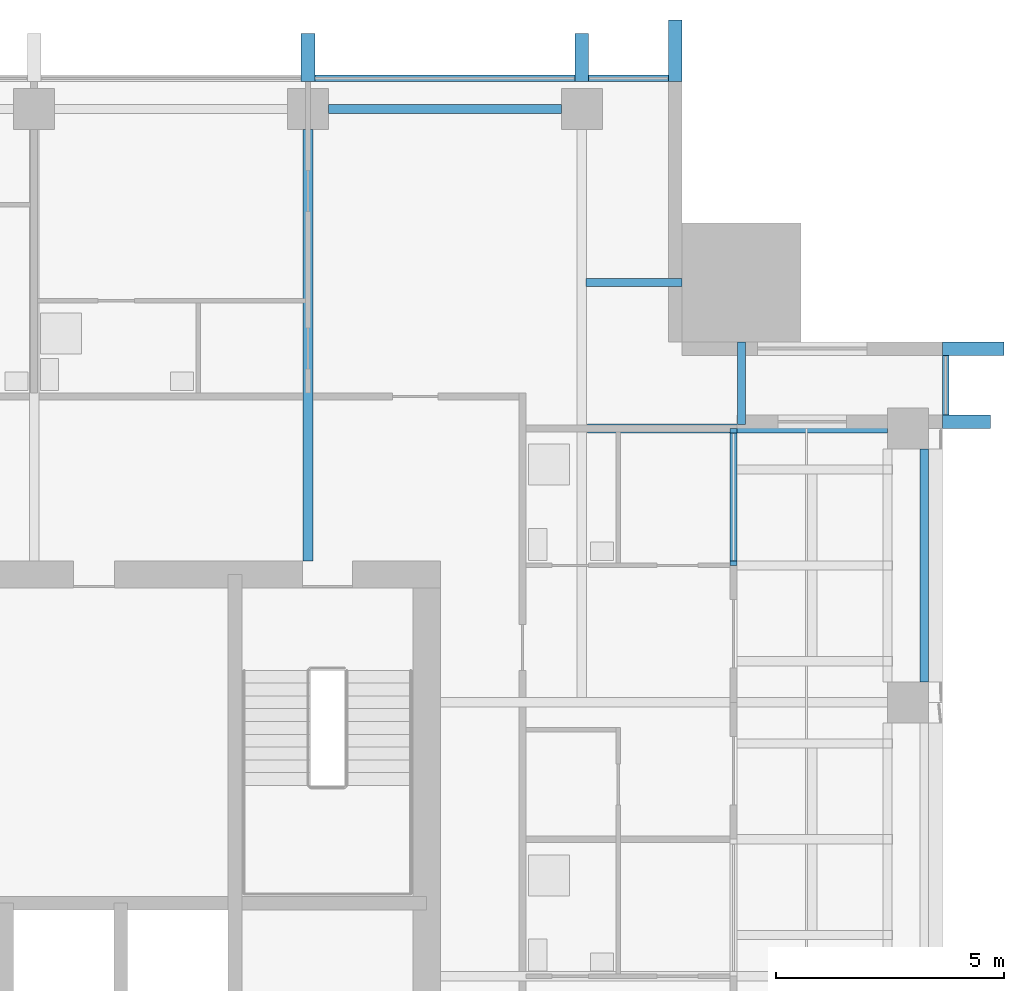
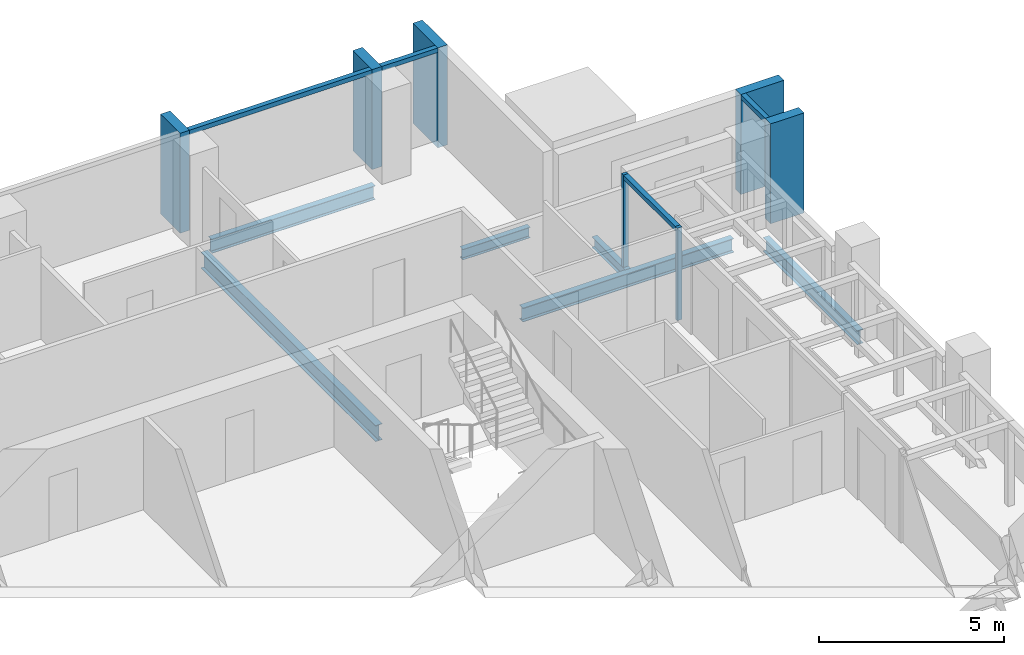
# One storey, part 6 of 17: 11 members, 6 beams, 3 elements without a shape of their own.
"""IFC4 building model written with IfcOpenShell, lengths in metres."""

from ifc_helpers import new_model, si_unit, direction, frame, origin, origin_2d, place, context, subcontext, project, spatial, rectangle, i_section, extrude, material, material_profile, profile_set, type_object, element, aggregate, save


model = new_model("IFC4")

# Units and contexts
model_context = context("Model", 3, precision=1e-05, world=origin(), true_north=direction((0.0, 1.0)))
body_context = subcontext(model_context, "Body", "Model", "MODEL_VIEW")
ifc_project = project(units=[si_unit("LENGTHUNIT", "METRE"), si_unit("AREAUNIT", "SQUARE_METRE"), si_unit("VOLUMEUNIT", "CUBIC_METRE"), si_unit("PLANEANGLEUNIT", "RADIAN"), si_unit("MASSUNIT", "GRAM", prefix="KILO")], contexts=[model_context])

# Site, building, storey
site_placement = place(None, origin())
site = spatial("IfcSite", under=ifc_project, at=site_placement, CompositionType="ELEMENT")
building_placement = place(site_placement, origin())
building = spatial("IfcBuilding", under=site, at=building_placement, Name="Amberfall Residences", CompositionType="ELEMENT")
storey_placement = place(building_placement, frame((0.0, 0.0, 216.699951171875)))
storey = spatial("IfcBuildingStorey", under=building, at=storey_placement, Name="L58", CompositionType="ELEMENT", Elevation=216.699951171875)

# Curtain wall, member
ifc_material_1 = material(Name="Bronze anodised aluminium and glass", Category="aluminium")
curtain_wall_type_1 = type_object("IfcCurtainWallType", Name="Curtain wall CW1 tower unit", PredefinedType="USERDEFINED", material=ifc_material_1)
curtain_wall_1_placement = place(storey_placement, origin())
curtain_wall_1 = element("IfcCurtainWall", 1, at=curtain_wall_1_placement, inside=storey, type_object=curtain_wall_type_1, Name="Curtain wall L58 E E9", ObjectType="UNITISED CURTAIN WALL", PredefinedType="USERDEFINED")
ifc_material_2 = material(Name="Bronze anodised aluminium", Category="aluminium")
ifc_material_profile_1 = material_profile(ifc_material_2, rectangle(XDim=0.14990234375, YDim=0.14990234375, at=origin_2d()), Name="CW1 transom 150 x 150 bronze")
ifc_profile_set_1 = profile_set([ifc_material_profile_1], Name="Bronze anodised aluminium")
member_type_1 = type_object("IfcMemberType", Name="CW1 transom 150 x 150 bronze", PredefinedType="USERDEFINED", material=ifc_profile_set_1)
member_1_placement = place(storey_placement, frame((97.574951171875, 60.699951171875, 2.97509765625), z_axis=(0.0, 1.0, 0.0), x_axis=(-1.0, 0.0, 0.0)))
member_1 = element("IfcMember", 2, at=member_1_placement, type_object=member_type_1, Name="CW1 transom 1.1", ObjectType="TRANSOM", PredefinedType="USERDEFINED", context=body_context, shape_type="SweptSolid", body=[
    extrude(rectangle(XDim=0.14990234375, YDim=0.14990234375, at=origin_2d()), origin(), (0.0, 0.0, 1.0), 1.300048828125),
])

# Curtain wall, members
curtain_wall_2_placement = place(storey_placement, origin())
curtain_wall_2 = element("IfcCurtainWall", 3, at=curtain_wall_2_placement, inside=storey, type_object=curtain_wall_type_1, Name="Curtain wall L58 N N1", ObjectType="UNITISED CURTAIN WALL", PredefinedType="USERDEFINED")
member_2_placement = place(storey_placement, frame((91.5, 68.074951171875, 2.97509765625), z_axis=(-1.0, 0.0, 0.0), x_axis=(0.0, -1.0, 0.0)))
member_2 = element("IfcMember", 4, at=member_2_placement, type_object=member_type_1, Name="CW1 transom 1.1", ObjectType="TRANSOM", PredefinedType="USERDEFINED", context=body_context, shape_type="SweptSolid", body=[
    extrude(rectangle(XDim=0.14990234375, YDim=0.14990234375, at=origin_2d()), origin(), (0.0, 0.0, 1.0), 1.75),
])
member_3_placement = place(storey_placement, frame((89.449951171875, 68.074951171875, 2.97509765625), z_axis=(-1.0, 0.0, 0.0), x_axis=(0.0, -1.0, 0.0)))
member_3 = element("IfcMember", 5, at=member_3_placement, type_object=member_type_1, Name="CW1 transom 2.1", ObjectType="TRANSOM", PredefinedType="USERDEFINED", context=body_context, shape_type="SweptSolid", body=[
    extrude(rectangle(XDim=0.14990234375, YDim=0.14990234375, at=origin_2d()), origin(), (0.0, 0.0, 1.0), 5.699951171875),
])

curtain_wall_type_2 = type_object("IfcCurtainWallType", Name="Curtain wall CW3 sky garden glazing", PredefinedType="USERDEFINED", material=ifc_material_1)
curtain_wall_3_placement = place(storey_placement, origin())
curtain_wall_3 = element("IfcCurtainWall", 6, at=curtain_wall_3_placement, inside=storey, type_object=curtain_wall_type_2, Name="Curtain wall L58 E E7", ObjectType="UNITISED CURTAIN WALL", PredefinedType="USERDEFINED")
ifc_material_profile_2 = material_profile(ifc_material_2, rectangle(XDim=0.14990234375, YDim=0.10009765625, at=origin_2d()), Name="CW3 mullion 100 x 150 bronze")
ifc_profile_set_2 = profile_set([ifc_material_profile_2], Name="Bronze anodised aluminium")
member_type_2 = type_object("IfcMemberType", Name="CW3 mullion 100 x 150 bronze", PredefinedType="MULLION", material=ifc_profile_set_2)
member_4_placement = place(storey_placement, frame((92.925048828125, 57.449951171875, 0.0), z_axis=(0.0, 0.0, 1.0), x_axis=(-1.0, 0.0, 0.0)))
member_4 = element("IfcMember", 7, at=member_4_placement, type_object=member_type_2, Name="CW3 mullion 1", PredefinedType="MULLION", context=body_context, shape_type="SweptSolid", body=[
    extrude(rectangle(XDim=0.14990234375, YDim=0.10009765625, at=origin_2d()), origin(), (0.0, 0.0, 1.0), 3.050048828125),
])
member_5_placement = place(storey_placement, frame((92.925048828125, 60.35009765625, 0.0), z_axis=(0.0, 0.0, 1.0), x_axis=(-1.0, 0.0, 0.0)))
member_5 = element("IfcMember", 8, at=member_5_placement, type_object=member_type_2, Name="CW3 mullion 2", PredefinedType="MULLION", context=body_context, shape_type="SweptSolid", body=[
    extrude(rectangle(XDim=0.14990234375, YDim=0.10009765625, at=origin_2d()), origin(), (0.0, 0.0, 1.0), 3.050048828125),
])
ifc_material_profile_3 = material_profile(ifc_material_2, rectangle(XDim=0.14990234375, YDim=0.14990234375, at=origin_2d()), Name="CW3 transom 150 x 150 bronze")
ifc_profile_set_3 = profile_set([ifc_material_profile_3], Name="Bronze anodised aluminium")
member_type_3 = type_object("IfcMemberType", Name="CW3 transom 150 x 150 bronze", PredefinedType="USERDEFINED", material=ifc_profile_set_3)
member_6_placement = place(storey_placement, frame((92.925048828125, 57.5, 2.97509765625), z_axis=(0.0, 1.0, 0.0), x_axis=(-1.0, 0.0, 0.0)))
member_6 = element("IfcMember", 9, at=member_6_placement, type_object=member_type_3, Name="CW3 transom 1.1", ObjectType="TRANSOM", PredefinedType="USERDEFINED", context=body_context, shape_type="SweptSolid", body=[
    extrude(rectangle(XDim=0.14990234375, YDim=0.14990234375, at=origin_2d()), origin(), (0.0, 0.0, 1.0), 2.800048828125),
])
aggregate(curtain_wall_3, [member_4, member_5, member_6])

# Member
ifc_material_profile_4 = material_profile(ifc_material_2, rectangle(XDim=1.35009765625, YDim=0.300048828125, at=origin_2d()), Name="Corner fin 300 x 1350 bronze")
ifc_profile_set_4 = profile_set([ifc_material_profile_4], Name="Bronze anodised aluminium")
member_type_4 = type_object("IfcMemberType", Name="Corner fin 300 x 1350 bronze", PredefinedType="MULLION", material=ifc_profile_set_4)
member_7_placement = place(storey_placement, frame((98.175048828125, 62.14990234375, -0.25), z_axis=(0.0, 0.0, 1.0), x_axis=(-1.0, 0.0, 0.0)))
member_7 = element("IfcMember", 10, at=member_7_placement, type_object=member_type_4, Name="CW FIN 2", PredefinedType="MULLION", context=body_context, shape_type="SweptSolid", body=[
    extrude(rectangle(XDim=1.35009765625, YDim=0.300048828125, at=origin_2d()), origin(), (0.0, 0.0, 1.0), 3.300048828125),
])

member_8_placement = place(storey_placement, frame((91.64990234375, 68.675048828125, -0.25), z_axis=(0.0, 0.0, 1.0), x_axis=(0.0, -1.0, 0.0)))
member_8 = element("IfcMember", 11, at=member_8_placement, type_object=member_type_4, Name="CW FIN 1", PredefinedType="MULLION", context=body_context, shape_type="SweptSolid", body=[
    extrude(rectangle(XDim=1.35009765625, YDim=0.300048828125, at=origin_2d()), origin(), (0.0, 0.0, 1.0), 3.300048828125),
])

# Beams
ifc_material_3 = material(Name="Steel S355", Category="steel")
ifc_material_profile_5 = material_profile(ifc_material_3, i_section(OverallWidth=0.18994140625, OverallDepth=0.453369140625, WebThickness=0.008544921875, FlangeThickness=0.0126953125, FilletRadius=0.01025390625, at=origin_2d()), Name="UB 457x191x67")
ifc_profile_set_5 = profile_set([ifc_material_profile_5], Name="Steel S355")
beam_type_1 = type_object("IfcBeamType", Name="Edge beam UB 457x191x67", PredefinedType="SPANDREL", material=ifc_profile_set_5)
for number, where, z_axis, x_axis, name in (
    (12, (97.10009765625, 54.85009765625, -0.4765625), (0.0, 1.0, 0.0), (-1.0, 0.0, 0.0), "Edge beam B1 L58 17"),
    (13, (84.050048828125, 67.39990234375, -0.4765625), (1.0, 0.0, 0.0), (0.0, 1.0, 0.0), "Edge beam B1 L58 29"),
):
    element("IfcBeam", number, at=place(storey_placement, frame(where, z_axis=z_axis, x_axis=x_axis)), inside=storey, type_object=beam_type_1, Name=name, PredefinedType="SPANDREL", context=body_context, shape_type="SweptSolid", body=[
        extrude(i_section(OverallWidth=0.18994140625, OverallDepth=0.453369140625, WebThickness=0.008544921875, FlangeThickness=0.0126953125, FilletRadius=0.01025390625, at=origin_2d()), origin(), (0.0, 0.0, 1.0), 5.099853515625),
    ])

# Member
ifc_material_profile_6 = material_profile(ifc_material_2, rectangle(XDim=1.050048828125, YDim=0.300048828125, at=origin_2d()), Name="Fin 300 x 1050 bronze")
ifc_profile_set_6 = profile_set([ifc_material_profile_6], Name="Bronze anodised aluminium")
member_type_5 = type_object("IfcMemberType", Name="Fin 300 x 1050 bronze", PredefinedType="MULLION", material=ifc_profile_set_6)
member_9_placement = place(storey_placement, frame((98.02490234375, 60.550048828125, -0.25), z_axis=(0.0, 0.0, 1.0), x_axis=(-1.0, 0.0, 0.0)))
member_9 = element("IfcMember", 14, at=member_9_placement, type_object=member_type_5, Name="CW FIN 1", PredefinedType="MULLION", context=body_context, shape_type="SweptSolid", body=[
    extrude(rectangle(XDim=1.050048828125, YDim=0.300048828125, at=origin_2d()), origin(), (0.0, 0.0, 1.0), 3.300048828125),
])

aggregate(curtain_wall_1, [member_9, member_7, member_1])

member_10_placement = place(storey_placement, frame((89.60009765625, 68.52490234375, -0.25), z_axis=(0.0, 0.0, 1.0), x_axis=(0.0, -1.0, 0.0)))
member_10 = element("IfcMember", 15, at=member_10_placement, type_object=member_type_5, Name="CW FIN 2", PredefinedType="MULLION", context=body_context, shape_type="SweptSolid", body=[
    extrude(rectangle(XDim=1.050048828125, YDim=0.300048828125, at=origin_2d()), origin(), (0.0, 0.0, 1.0), 3.300048828125),
])

member_11_placement = place(storey_placement, frame((83.60009765625, 68.52490234375, -0.25), z_axis=(0.0, 0.0, 1.0), x_axis=(0.0, -1.0, 0.0)))
member_11 = element("IfcMember", 16, at=member_11_placement, type_object=member_type_5, Name="CW FIN 3", PredefinedType="MULLION", context=body_context, shape_type="SweptSolid", body=[
    extrude(rectangle(XDim=1.050048828125, YDim=0.300048828125, at=origin_2d()), origin(), (0.0, 0.0, 1.0), 3.300048828125),
])

aggregate(curtain_wall_2, [member_8, member_10, member_11, member_2, member_3])

# Beams
ifc_material_profile_7 = material_profile(ifc_material_3, i_section(OverallWidth=0.19140625, OverallDepth=0.4599609375, WebThickness=0.010009765625, FlangeThickness=0.01611328125, FilletRadius=0.01025390625, at=origin_2d()), Name="UB 457x191x82")
ifc_profile_set_7 = profile_set([ifc_material_profile_7], Name="Steel S355")
beam_type_2 = type_object("IfcBeamType", Name="Floor girder UB 457x191x82", PredefinedType="BEAM", material=ifc_profile_set_7)
beam_1_placement = place(storey_placement, frame((96.300048828125, 60.39990234375, -0.47998046875), z_axis=(-1.0, 0.0, 0.0), x_axis=(0.0, -1.0, 0.0)))
element("IfcBeam", 17, at=beam_1_placement, inside=storey, type_object=beam_type_2, Name="Floor girder B10 L58 24", PredefinedType="BEAM", context=body_context, shape_type="SweptSolid", body=[
    extrude(i_section(OverallWidth=0.19140625, OverallDepth=0.4599609375, WebThickness=0.010009765625, FlangeThickness=0.01611328125, FilletRadius=0.01025390625, at=origin_2d()), origin(), (0.0, 0.0, 1.0), 6.580078125),
])
ifc_material_profile_8 = material_profile(ifc_material_3, i_section(OverallWidth=0.209228515625, OverallDepth=0.533203125, WebThickness=0.010009765625, FlangeThickness=0.015625, FilletRadius=0.0126953125, at=origin_2d()), Name="UB 533x210x92")
ifc_profile_set_8 = profile_set([ifc_material_profile_8], Name="Steel S355")
beam_type_3 = type_object("IfcBeamType", Name="Floor girder UB 533x210x92", PredefinedType="BEAM", material=ifc_profile_set_8)
beam_2_placement = place(storey_placement, frame((83.60009765625, 66.949951171875, -0.5166015625), z_axis=(0.0, -1.0, 0.0), x_axis=(1.0, 0.0, 0.0)))
element("IfcBeam", 18, at=beam_2_placement, inside=storey, type_object=beam_type_3, Name="Floor girder B3 L58 34", PredefinedType="BEAM", context=body_context, shape_type="SweptSolid", body=[
    extrude(i_section(OverallWidth=0.209228515625, OverallDepth=0.533203125, WebThickness=0.010009765625, FlangeThickness=0.015625, FilletRadius=0.0126953125, at=origin_2d()), origin(), (0.0, 0.0, 1.0), 9.449951171875),
])
ifc_material_profile_9 = material_profile(ifc_material_3, i_section(OverallWidth=0.171142578125, OverallDepth=0.351318359375, WebThickness=0.007080078125, FlangeThickness=0.009765625, FilletRadius=0.01025390625, at=origin_2d()), Name="UB 356x171x45")
ifc_profile_set_9 = profile_set([ifc_material_profile_9], Name="Steel S355")
beam_type_4 = type_object("IfcBeamType", Name="Link beam UB 356x171x45", PredefinedType="BEAM", material=ifc_profile_set_9)
beam_3_placement = place(storey_placement, frame((91.800048828125, 63.60009765625, -0.425537109375), z_axis=(-1.0, 0.0, 0.0), x_axis=(0.0, -1.0, 0.0)))
element("IfcBeam", 19, at=beam_3_placement, inside=storey, type_object=beam_type_4, Name="Link beam B7 L58 51", PredefinedType="BEAM", context=body_context, shape_type="SweptSolid", body=[
    extrude(i_section(OverallWidth=0.171142578125, OverallDepth=0.351318359375, WebThickness=0.007080078125, FlangeThickness=0.009765625, FilletRadius=0.01025390625, at=origin_2d()), origin(), (0.0, 0.0, 1.0), 2.104736328125),
])
beam_4_placement = place(storey_placement, frame((93.10009765625, 62.300048828125, -0.425537109375), z_axis=(0.0, -1.0, 0.0), x_axis=(1.0, 0.0, 0.0)))
element("IfcBeam", 20, at=beam_4_placement, inside=storey, type_object=beam_type_4, Name="Link beam B7 L58 52", PredefinedType="BEAM", context=body_context, shape_type="SweptSolid", body=[
    extrude(i_section(OverallWidth=0.171142578125, OverallDepth=0.351318359375, WebThickness=0.007080078125, FlangeThickness=0.009765625, FilletRadius=0.01025390625, at=origin_2d()), origin(), (0.0, 0.0, 1.0), 1.814453125),
])

save(model, "model.ifc")
